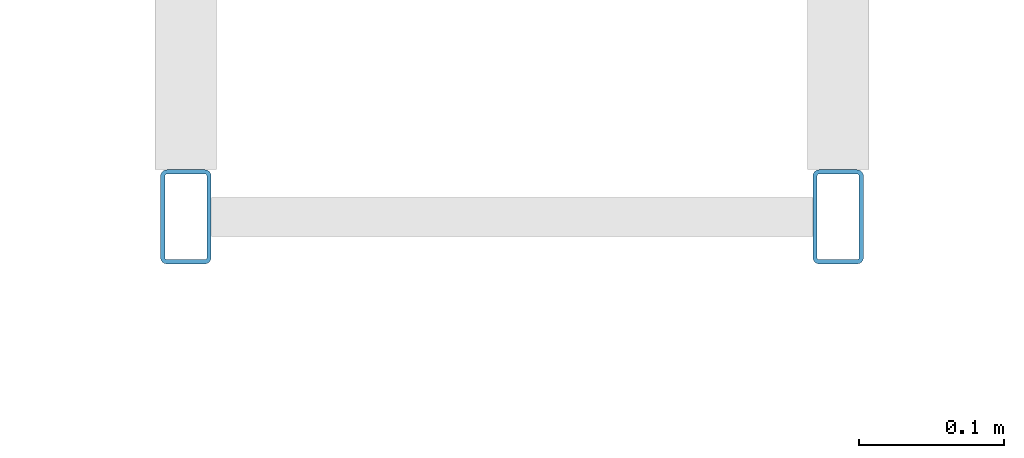
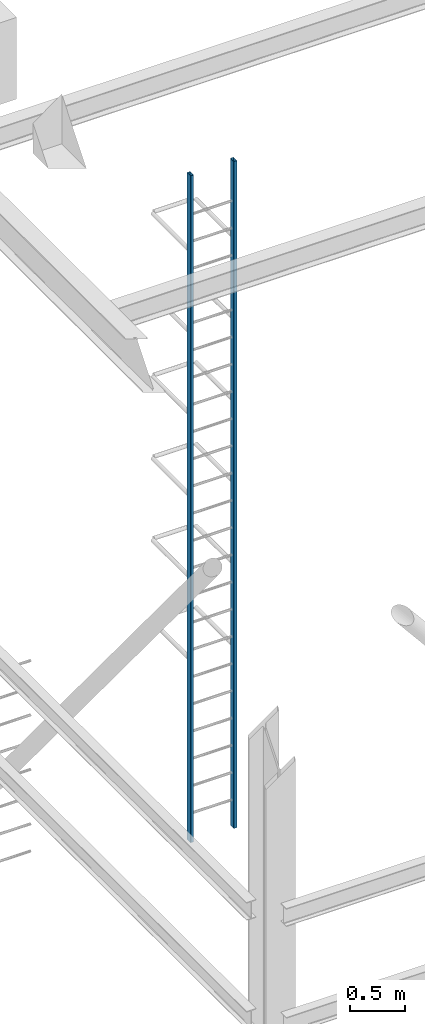
# One storey, part 2 of 57: 2 members.
"""IFC4 building model written with IfcOpenShell, lengths in metres."""

from ifc_helpers import new_model, si_unit, direction, frame, origin, origin_2d, place, context, subcontext, project, spatial, hollow_rectangle, extrude, material, material_profile, profile_set, type_object, element, save


model = new_model("IFC4")

# Units and contexts
model_context = context("Model", 3, precision=1e-05, world=origin(), true_north=direction((0.0, 1.0)))
body_context = subcontext(model_context, "Body", "Model", "MODEL_VIEW")
ifc_project = project(units=[si_unit("LENGTHUNIT", "METRE"), si_unit("AREAUNIT", "SQUARE_METRE"), si_unit("VOLUMEUNIT", "CUBIC_METRE"), si_unit("PLANEANGLEUNIT", "RADIAN"), si_unit("MASSUNIT", "GRAM", prefix="KILO")], contexts=[model_context])

# Site, building, storey
site_placement = place(None, origin())
site = spatial("IfcSite", under=ifc_project, at=site_placement, CompositionType="ELEMENT")
building_placement = place(site_placement, origin())
building = spatial("IfcBuilding", under=site, at=building_placement, Name="Saffron Lane Theatres", CompositionType="ELEMENT")
storey_placement = place(building_placement, frame((0.0, 0.0, 28.0)))
storey = spatial("IfcBuildingStorey", under=building, at=storey_placement, Name="Upper Roof", CompositionType="ELEMENT", Elevation=28.0)

# Members
ifc_material = material(Name="Steel Grade 350", Category="steel")
ifc_material_profile = material_profile(ifc_material, hollow_rectangle(XDim=0.034912109375, YDim=0.06494140625, WallThickness=0.0029296875, InnerFilletRadius=0.00146484375, OuterFilletRadius=0.00439453125, at=origin_2d()))
ifc_profile_set = profile_set([ifc_material_profile], Name="Steel Grade 350")
member_type = type_object("IfcMemberType", Name="ST-LADDER STILE 65x35x3 RHS", PredefinedType="STRINGER", material=ifc_profile_set)
for number, where, z_axis, x_axis, name in (
    (1, (20.0, 34.75, 1.449951171875), (0.0, 0.0, 1.0), (1.0, 0.0, 0.0), "LS3"),
    (2, (20.449951171875, 34.75, 1.449951171875), (0.0, 0.0, 1.0), (1.0, 0.0, 0.0), "LS4"),
):
    element("IfcMember", number, at=place(storey_placement, frame(where, z_axis=z_axis, x_axis=x_axis)), inside=storey, type_object=member_type, Name=name, PredefinedType="STRINGER", context=body_context, shape_type="SweptSolid", body=[
        extrude(hollow_rectangle(XDim=0.034912109375, YDim=0.06494140625, WallThickness=0.0029296875, InnerFilletRadius=0.00146484375, OuterFilletRadius=0.00439453125, at=origin_2d()), origin(), (0.0, 0.0, 1.0), 7.35009765625),
    ])

save(model, "model.ifc")
